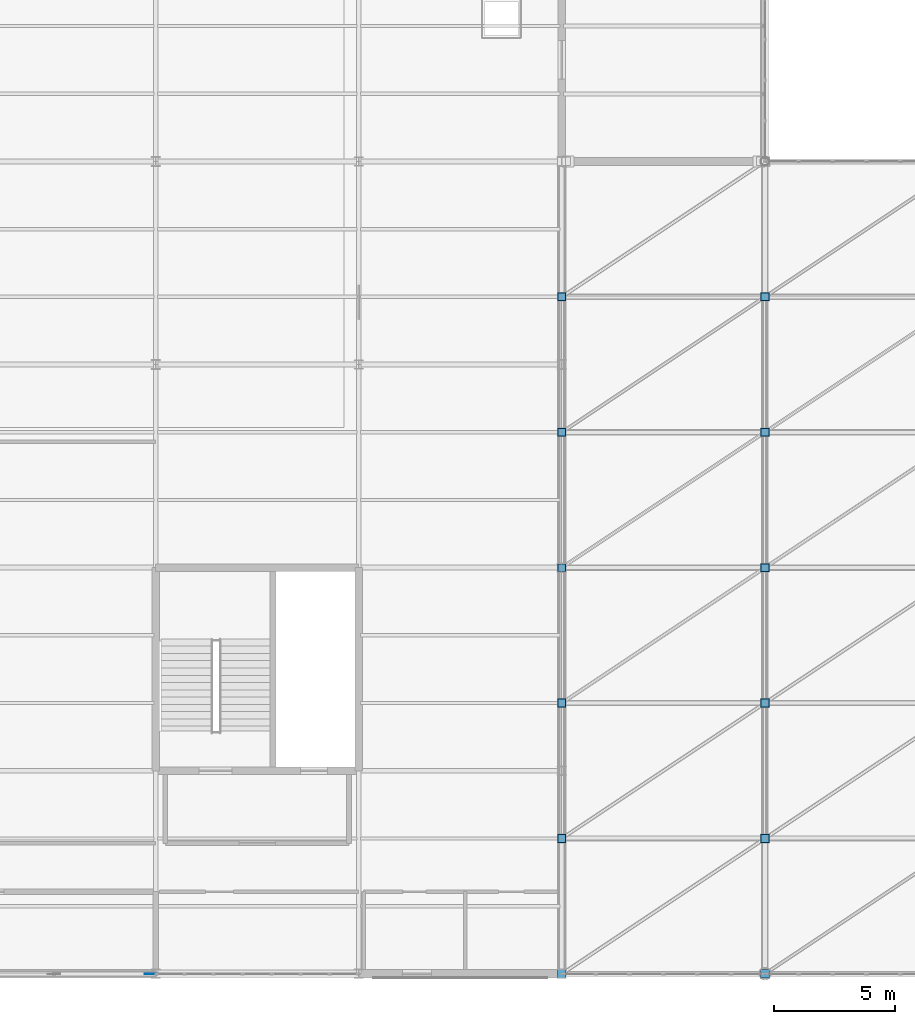
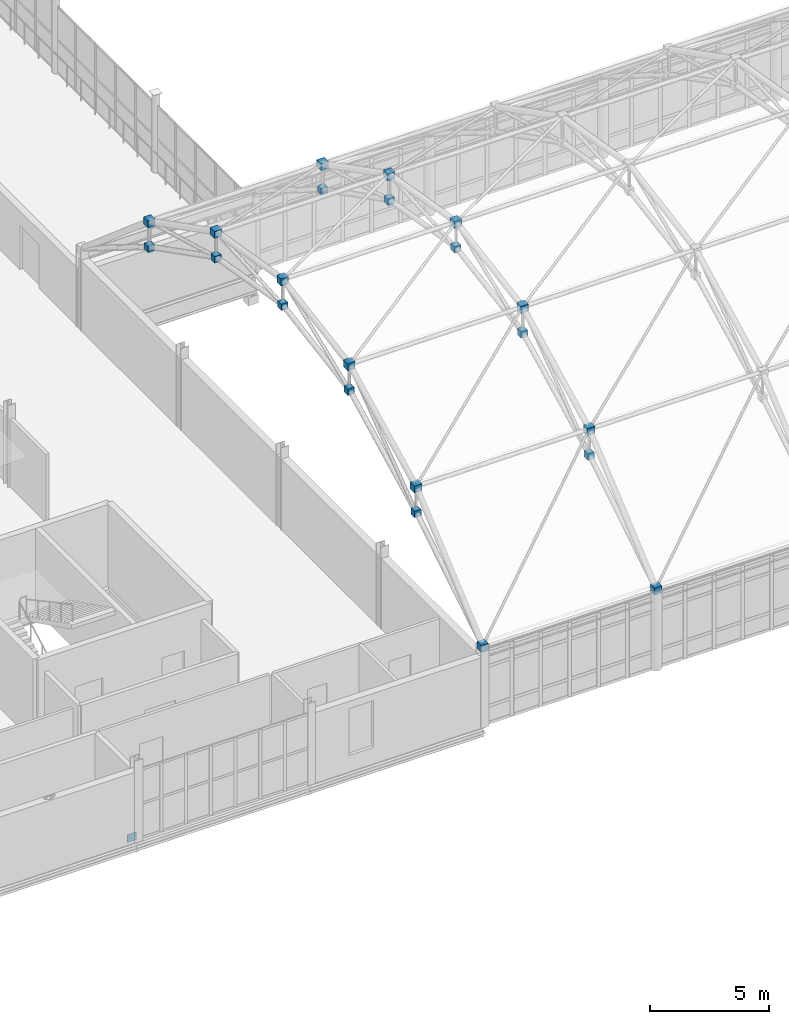
# One storey, part 163 of 184: 23 discrete accessories.
"""IFC4 building model written with IfcOpenShell, lengths in metres."""

from ifc_helpers import new_model, si_unit, direction, frame, origin, origin_2d, place, context, subcontext, project, spatial, rectangle, extrude, material, type_object, element, save


model = new_model("IFC4")

# Units and contexts
model_context = context("Model", 3, precision=1e-05, world=origin(), true_north=direction((0.0, 1.0)))
body_context = subcontext(model_context, "Body", "Model", "MODEL_VIEW")
ifc_project = project(units=[si_unit("LENGTHUNIT", "METRE"), si_unit("AREAUNIT", "SQUARE_METRE"), si_unit("VOLUMEUNIT", "CUBIC_METRE"), si_unit("PLANEANGLEUNIT", "RADIAN"), si_unit("MASSUNIT", "GRAM", prefix="KILO")], contexts=[model_context])

# Site, building, storey
site_placement = place(None, origin())
site = spatial("IfcSite", under=ifc_project, at=site_placement, CompositionType="ELEMENT")
building_placement = place(site_placement, origin())
building = spatial("IfcBuilding", under=site, at=building_placement, Name="Qalvenar Corner Mobility Hub", CompositionType="ELEMENT")
storey_placement = place(building_placement, frame((0.0, 0.0, 9.0)))
storey = spatial("IfcBuildingStorey", under=building, at=storey_placement, Name="L02", CompositionType="ELEMENT", Elevation=9.0)

# Discrete accessories
ifc_material = material(Name="Steel S355", Category="steel")
discrete_accessory_type_1 = type_object("IfcDiscreteAccessoryType", Name="ACC-GUSSET-PLT", PredefinedType="BRACKET", material=ifc_material)
discrete_accessory_1_placement = place(storey_placement, frame((33.3798828125, 0.0, 0.0), z_axis=(0.0, 0.0, 1.0), x_axis=(1.0, 0.0, 0.0)))
element("IfcDiscreteAccessory", 1, at=discrete_accessory_1_placement, inside=storey, type_object=discrete_accessory_type_1, Name="Brace Base Gusset Plate GP-B-009", PredefinedType="BRACKET", context=body_context, shape_type="SweptSolid", body=[
    extrude(rectangle(XDim=0.449951171875, YDim=0.02490234375, at=origin_2d()), origin(), (0.0, 0.0, 1.0), 0.39990234375),
])
discrete_accessory_type_2 = type_object("IfcDiscreteAccessoryType", Name="ACC-SF-NODE", PredefinedType="BRACKET", material=ifc_material)
for number, where, z_axis, x_axis, name in (
    (2, (50.39990234375, 0.0, 3.8798828125), (0.0, 0.0, 1.0), (1.0, 0.0, 0.0), "Space Frame Spherical Node SFN-T-50-0"),
    (3, (50.39990234375, 5.60009765625, 8.65771484375), (0.0, 0.0, 1.0), (1.0, 0.0, 0.0), "Space Frame Spherical Node SFN-T-50-6"),
):
    element("IfcDiscreteAccessory", number, at=place(storey_placement, frame(where, z_axis=z_axis, x_axis=x_axis)), inside=storey, type_object=discrete_accessory_type_2, Name=name, PredefinedType="BRACKET", context=body_context, shape_type="SweptSolid", body=[
        extrude(rectangle(XDim=0.360107421875, YDim=0.360107421875, at=origin_2d()), origin(), (0.0, 0.0, 1.0), 0.360107421875),
    ])
discrete_accessory_2_placement = place(storey_placement, frame((50.39990234375, 5.60009765625, 7.3779296875), z_axis=(0.0, 0.0, 1.0), x_axis=(1.0, 0.0, 0.0)))
element("IfcDiscreteAccessory", 4, at=discrete_accessory_2_placement, inside=storey, type_object=discrete_accessory_type_2, Name="Space Frame Bottom Node SFN-B-50-6", PredefinedType="BRACKET", context=body_context, shape_type="SweptSolid", body=[
    extrude(rectangle(XDim=0.320068359375, YDim=0.320068359375, at=origin_2d()), origin(), (0.0, 0.0, 1.0), 0.320068359375),
])
discrete_accessory_3_placement = place(storey_placement, frame((50.39990234375, 11.199951171875, 11.5244140625), z_axis=(0.0, 0.0, 1.0), x_axis=(1.0, 0.0, 0.0)))
element("IfcDiscreteAccessory", 5, at=discrete_accessory_3_placement, inside=storey, type_object=discrete_accessory_type_2, Name="Space Frame Spherical Node SFN-T-50-11", PredefinedType="BRACKET", context=body_context, shape_type="SweptSolid", body=[
    extrude(rectangle(XDim=0.360107421875, YDim=0.360107421875, at=origin_2d()), origin(), (0.0, 0.0, 1.0), 0.360107421875),
])
discrete_accessory_4_placement = place(storey_placement, frame((50.39990234375, 11.199951171875, 10.244140625), z_axis=(0.0, 0.0, 1.0), x_axis=(1.0, 0.0, 0.0)))
element("IfcDiscreteAccessory", 6, at=discrete_accessory_4_placement, inside=storey, type_object=discrete_accessory_type_2, Name="Space Frame Bottom Node SFN-B-50-11", PredefinedType="BRACKET", context=body_context, shape_type="SweptSolid", body=[
    extrude(rectangle(XDim=0.320068359375, YDim=0.320068359375, at=origin_2d()), origin(), (0.0, 0.0, 1.0), 0.320068359375),
])
discrete_accessory_5_placement = place(storey_placement, frame((50.39990234375, 16.800048828125, 12.47998046875), z_axis=(0.0, 0.0, 1.0), x_axis=(1.0, 0.0, 0.0)))
element("IfcDiscreteAccessory", 7, at=discrete_accessory_5_placement, inside=storey, type_object=discrete_accessory_type_2, Name="Space Frame Spherical Node SFN-T-50-17", PredefinedType="BRACKET", context=body_context, shape_type="SweptSolid", body=[
    extrude(rectangle(XDim=0.360107421875, YDim=0.360107421875, at=origin_2d()), origin(), (0.0, 0.0, 1.0), 0.360107421875),
])
discrete_accessory_6_placement = place(storey_placement, frame((50.39990234375, 16.800048828125, 11.2001953125), z_axis=(0.0, 0.0, 1.0), x_axis=(1.0, 0.0, 0.0)))
element("IfcDiscreteAccessory", 8, at=discrete_accessory_6_placement, inside=storey, type_object=discrete_accessory_type_2, Name="Space Frame Bottom Node SFN-B-50-17", PredefinedType="BRACKET", context=body_context, shape_type="SweptSolid", body=[
    extrude(rectangle(XDim=0.320068359375, YDim=0.320068359375, at=origin_2d()), origin(), (0.0, 0.0, 1.0), 0.320068359375),
])
discrete_accessory_7_placement = place(storey_placement, frame((50.39990234375, 22.39990234375, 11.5244140625), z_axis=(0.0, 0.0, 1.0), x_axis=(1.0, 0.0, 0.0)))
element("IfcDiscreteAccessory", 9, at=discrete_accessory_7_placement, inside=storey, type_object=discrete_accessory_type_2, Name="Space Frame Spherical Node SFN-T-50-22", PredefinedType="BRACKET", context=body_context, shape_type="SweptSolid", body=[
    extrude(rectangle(XDim=0.360107421875, YDim=0.360107421875, at=origin_2d()), origin(), (0.0, 0.0, 1.0), 0.360107421875),
])
discrete_accessory_8_placement = place(storey_placement, frame((50.39990234375, 22.39990234375, 10.244140625), z_axis=(0.0, 0.0, 1.0), x_axis=(1.0, 0.0, 0.0)))
element("IfcDiscreteAccessory", 10, at=discrete_accessory_8_placement, inside=storey, type_object=discrete_accessory_type_2, Name="Space Frame Bottom Node SFN-B-50-22", PredefinedType="BRACKET", context=body_context, shape_type="SweptSolid", body=[
    extrude(rectangle(XDim=0.320068359375, YDim=0.320068359375, at=origin_2d()), origin(), (0.0, 0.0, 1.0), 0.320068359375),
])
discrete_accessory_9_placement = place(storey_placement, frame((50.39990234375, 28.0, 8.65771484375), z_axis=(0.0, 0.0, 1.0), x_axis=(1.0, 0.0, 0.0)))
element("IfcDiscreteAccessory", 11, at=discrete_accessory_9_placement, inside=storey, type_object=discrete_accessory_type_2, Name="Space Frame Spherical Node SFN-T-50-28", PredefinedType="BRACKET", context=body_context, shape_type="SweptSolid", body=[
    extrude(rectangle(XDim=0.360107421875, YDim=0.360107421875, at=origin_2d()), origin(), (0.0, 0.0, 1.0), 0.360107421875),
])
discrete_accessory_10_placement = place(storey_placement, frame((50.39990234375, 28.0, 7.3779296875), z_axis=(0.0, 0.0, 1.0), x_axis=(1.0, 0.0, 0.0)))
element("IfcDiscreteAccessory", 12, at=discrete_accessory_10_placement, inside=storey, type_object=discrete_accessory_type_2, Name="Space Frame Bottom Node SFN-B-50-28", PredefinedType="BRACKET", context=body_context, shape_type="SweptSolid", body=[
    extrude(rectangle(XDim=0.320068359375, YDim=0.320068359375, at=origin_2d()), origin(), (0.0, 0.0, 1.0), 0.320068359375),
])
for number, where, z_axis, x_axis, name in (
    (13, (58.800048828125, 0.0, 3.8798828125), (0.0, 0.0, 1.0), (1.0, 0.0, 0.0), "Space Frame Spherical Node SFN-T-58-0"),
    (14, (58.800048828125, 5.60009765625, 8.65771484375), (0.0, 0.0, 1.0), (1.0, 0.0, 0.0), "Space Frame Spherical Node SFN-T-58-6"),
):
    element("IfcDiscreteAccessory", number, at=place(storey_placement, frame(where, z_axis=z_axis, x_axis=x_axis)), inside=storey, type_object=discrete_accessory_type_2, Name=name, PredefinedType="BRACKET", context=body_context, shape_type="SweptSolid", body=[
        extrude(rectangle(XDim=0.360107421875, YDim=0.360107421875, at=origin_2d()), origin(), (0.0, 0.0, 1.0), 0.360107421875),
    ])
discrete_accessory_11_placement = place(storey_placement, frame((58.800048828125, 5.60009765625, 7.3779296875), z_axis=(0.0, 0.0, 1.0), x_axis=(1.0, 0.0, 0.0)))
element("IfcDiscreteAccessory", 15, at=discrete_accessory_11_placement, inside=storey, type_object=discrete_accessory_type_2, Name="Space Frame Bottom Node SFN-B-58-6", PredefinedType="BRACKET", context=body_context, shape_type="SweptSolid", body=[
    extrude(rectangle(XDim=0.320068359375, YDim=0.320068359375, at=origin_2d()), origin(), (0.0, 0.0, 1.0), 0.320068359375),
])
discrete_accessory_12_placement = place(storey_placement, frame((58.800048828125, 11.199951171875, 11.5244140625), z_axis=(0.0, 0.0, 1.0), x_axis=(1.0, 0.0, 0.0)))
element("IfcDiscreteAccessory", 16, at=discrete_accessory_12_placement, inside=storey, type_object=discrete_accessory_type_2, Name="Space Frame Spherical Node SFN-T-58-11", PredefinedType="BRACKET", context=body_context, shape_type="SweptSolid", body=[
    extrude(rectangle(XDim=0.360107421875, YDim=0.360107421875, at=origin_2d()), origin(), (0.0, 0.0, 1.0), 0.360107421875),
])
discrete_accessory_13_placement = place(storey_placement, frame((58.800048828125, 11.199951171875, 10.244140625), z_axis=(0.0, 0.0, 1.0), x_axis=(1.0, 0.0, 0.0)))
element("IfcDiscreteAccessory", 17, at=discrete_accessory_13_placement, inside=storey, type_object=discrete_accessory_type_2, Name="Space Frame Bottom Node SFN-B-58-11", PredefinedType="BRACKET", context=body_context, shape_type="SweptSolid", body=[
    extrude(rectangle(XDim=0.320068359375, YDim=0.320068359375, at=origin_2d()), origin(), (0.0, 0.0, 1.0), 0.320068359375),
])
discrete_accessory_14_placement = place(storey_placement, frame((58.800048828125, 16.800048828125, 12.47998046875), z_axis=(0.0, 0.0, 1.0), x_axis=(1.0, 0.0, 0.0)))
element("IfcDiscreteAccessory", 18, at=discrete_accessory_14_placement, inside=storey, type_object=discrete_accessory_type_2, Name="Space Frame Spherical Node SFN-T-58-17", PredefinedType="BRACKET", context=body_context, shape_type="SweptSolid", body=[
    extrude(rectangle(XDim=0.360107421875, YDim=0.360107421875, at=origin_2d()), origin(), (0.0, 0.0, 1.0), 0.360107421875),
])
discrete_accessory_15_placement = place(storey_placement, frame((58.800048828125, 16.800048828125, 11.2001953125), z_axis=(0.0, 0.0, 1.0), x_axis=(1.0, 0.0, 0.0)))
element("IfcDiscreteAccessory", 19, at=discrete_accessory_15_placement, inside=storey, type_object=discrete_accessory_type_2, Name="Space Frame Bottom Node SFN-B-58-17", PredefinedType="BRACKET", context=body_context, shape_type="SweptSolid", body=[
    extrude(rectangle(XDim=0.320068359375, YDim=0.320068359375, at=origin_2d()), origin(), (0.0, 0.0, 1.0), 0.320068359375),
])
discrete_accessory_16_placement = place(storey_placement, frame((58.800048828125, 22.39990234375, 11.5244140625), z_axis=(0.0, 0.0, 1.0), x_axis=(1.0, 0.0, 0.0)))
element("IfcDiscreteAccessory", 20, at=discrete_accessory_16_placement, inside=storey, type_object=discrete_accessory_type_2, Name="Space Frame Spherical Node SFN-T-58-22", PredefinedType="BRACKET", context=body_context, shape_type="SweptSolid", body=[
    extrude(rectangle(XDim=0.360107421875, YDim=0.360107421875, at=origin_2d()), origin(), (0.0, 0.0, 1.0), 0.360107421875),
])
discrete_accessory_17_placement = place(storey_placement, frame((58.800048828125, 22.39990234375, 10.244140625), z_axis=(0.0, 0.0, 1.0), x_axis=(1.0, 0.0, 0.0)))
element("IfcDiscreteAccessory", 21, at=discrete_accessory_17_placement, inside=storey, type_object=discrete_accessory_type_2, Name="Space Frame Bottom Node SFN-B-58-22", PredefinedType="BRACKET", context=body_context, shape_type="SweptSolid", body=[
    extrude(rectangle(XDim=0.320068359375, YDim=0.320068359375, at=origin_2d()), origin(), (0.0, 0.0, 1.0), 0.320068359375),
])
discrete_accessory_18_placement = place(storey_placement, frame((58.800048828125, 28.0, 8.65771484375), z_axis=(0.0, 0.0, 1.0), x_axis=(1.0, 0.0, 0.0)))
element("IfcDiscreteAccessory", 22, at=discrete_accessory_18_placement, inside=storey, type_object=discrete_accessory_type_2, Name="Space Frame Spherical Node SFN-T-58-28", PredefinedType="BRACKET", context=body_context, shape_type="SweptSolid", body=[
    extrude(rectangle(XDim=0.360107421875, YDim=0.360107421875, at=origin_2d()), origin(), (0.0, 0.0, 1.0), 0.360107421875),
])
discrete_accessory_19_placement = place(storey_placement, frame((58.800048828125, 28.0, 7.3779296875), z_axis=(0.0, 0.0, 1.0), x_axis=(1.0, 0.0, 0.0)))
element("IfcDiscreteAccessory", 23, at=discrete_accessory_19_placement, inside=storey, type_object=discrete_accessory_type_2, Name="Space Frame Bottom Node SFN-B-58-28", PredefinedType="BRACKET", context=body_context, shape_type="SweptSolid", body=[
    extrude(rectangle(XDim=0.320068359375, YDim=0.320068359375, at=origin_2d()), origin(), (0.0, 0.0, 1.0), 0.320068359375),
])

save(model, "model.ifc")
